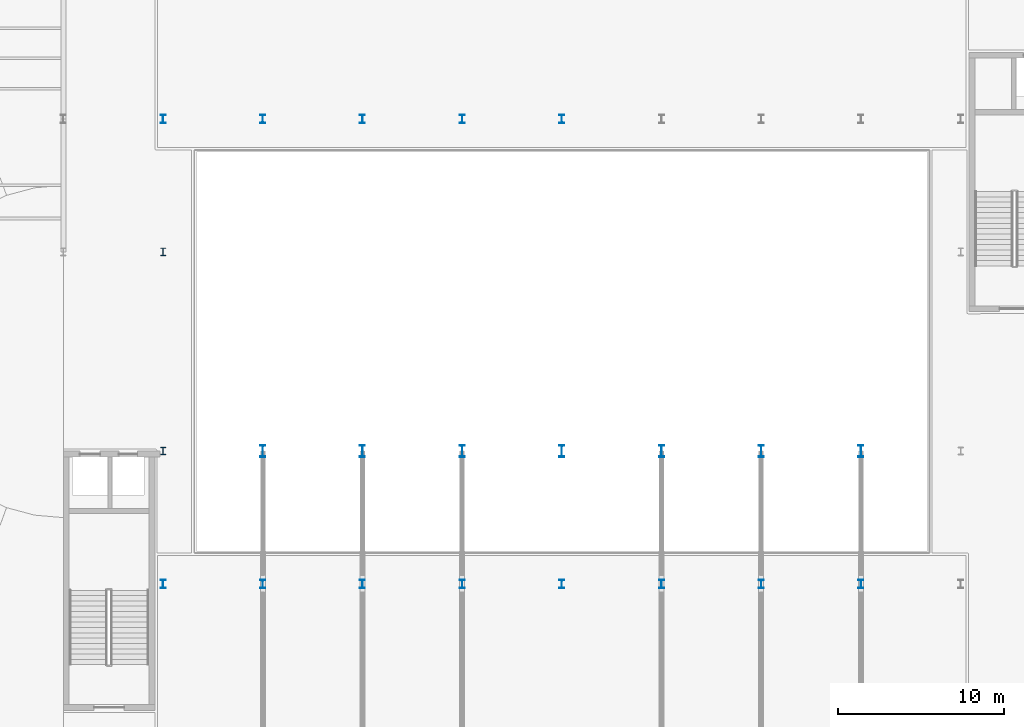
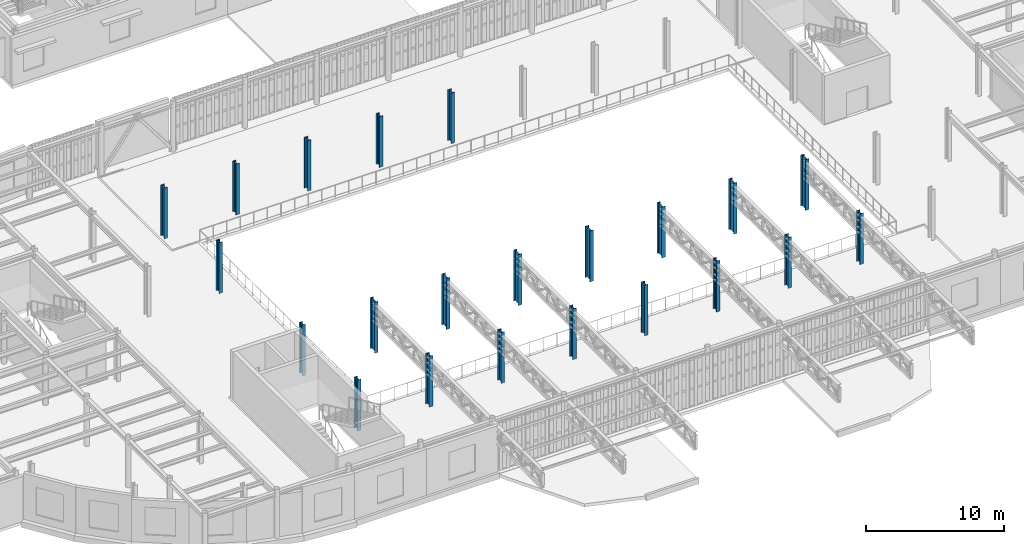
# One storey, part 7 of 91: 22 columns.
"""IFC4 building model written with IfcOpenShell, lengths in metres."""

import ifcopenshell
import ifcopenshell.guid

model = None  # the IFC model being written
_history = None  # IfcOwnerHistory: only IFC2X3 demands one
_inside = {}  # id of a spatial element -> (the spatial element, [elements in it])
_under = {}  # id of a project, library or spatial element -> (it, [spatial elements below it])
_declared = {}  # id of a project -> (the project, [libraries it declares])
_typed = {}  # id of a type object -> (the type object, [elements of that type])
_made_of = {}  # id of a material, layer set ... -> (it, [elements and type objects made of it])


def new_model(schema):
    """Start an empty IFC model of exactly this schema.

    Asked for "IFC4X3", IfcOpenShell would pick the latest addendum, in which some entities
    have other attributes; the version numbers below select the first issue.
    IFC2X3 requires an IfcOwnerHistory on every rooted entity: one is made here for all.
    """
    global model, _history
    if schema == "IFC4X3":
        model = ifcopenshell.file(schema_version=(4, 3, 0, 0))
    else:
        model = ifcopenshell.file(schema=schema)
    _inside.clear()
    _under.clear()
    _declared.clear()
    _typed.clear()
    _made_of.clear()
    _history = None
    if model.schema == "IFC2X3":
        org = make("IfcOrganization", Name="unknown")
        user = make(
            "IfcPersonAndOrganization",
            ThePerson=make("IfcPerson", FamilyName="unknown"),
            TheOrganization=org,
        )
        app = make(
            "IfcApplication",
            ApplicationDeveloper=org,
            Version="unknown",
            ApplicationFullName="unknown",
            ApplicationIdentifier="unknown",
        )
        _history = make(
            "IfcOwnerHistory",
            OwningUser=user,
            OwningApplication=app,
            ChangeAction="ADDED",
            CreationDate=0,
        )
    return model


def make(cls, **values):
    """One entity of the class cls with the attributes given. An attribute that is None is left unset."""
    return model.create_entity(
        cls, **{name: value for name, value in values.items() if value is not None}
    )


def rooted(cls, **values):
    """An entity with a GlobalId (a new one), such as an element, a storey or a relation."""
    return make(cls, GlobalId=ifcopenshell.guid.new(), OwnerHistory=_history, **values)


def si_unit(unit_type, name, prefix=None):
    """IfcSIUnit, for example si_unit("LENGTHUNIT", "METRE", prefix="MILLI")."""
    return make("IfcSIUnit", UnitType=unit_type, Prefix=prefix, Name=name)


def assignment(units):
    """IfcUnitAssignment: the units of a project."""
    return None if units is None else make("IfcUnitAssignment", Units=units)


def point(xyz):
    """IfcCartesianPoint."""
    return None if xyz is None else make("IfcCartesianPoint", Coordinates=xyz)


def direction(xyz):
    """IfcDirection."""
    return None if xyz is None else make("IfcDirection", DirectionRatios=xyz)


def frame(location, z_axis=None, x_axis=None):
    """IfcAxis2Placement3D, a coordinate frame: its origin and axes. An axis left out is left unset."""
    return make(
        "IfcAxis2Placement3D",
        Location=point(location),
        Axis=direction(z_axis),
        RefDirection=direction(x_axis),
    )


def frame_2d(location, x_axis=None):
    """IfcAxis2Placement2D, a coordinate frame in the plane: its origin and x axis."""
    return make(
        "IfcAxis2Placement2D", Location=point(location), RefDirection=direction(x_axis)
    )


def origin():
    """The frame at (0, 0, 0) with its axes left unset."""
    return frame((0.0, 0.0, 0.0))


def origin_2d():
    """The frame at (0, 0) in the plane with its x axis left unset."""
    return frame_2d((0.0, 0.0))


def place(relative_to, where):
    """IfcLocalPlacement: puts the frame where relative to a parent placement (None: the world)."""
    return make(
        "IfcLocalPlacement", PlacementRelTo=relative_to, RelativePlacement=where
    )


def context(
    kind, dimensions, precision=None, world=None, true_north=None, identifier=None
):
    """IfcGeometricRepresentationContext, for example the 3D "Model" context."""
    return make(
        "IfcGeometricRepresentationContext",
        ContextIdentifier=identifier,
        ContextType=kind,
        CoordinateSpaceDimension=dimensions,
        Precision=precision,
        WorldCoordinateSystem=world,
        TrueNorth=true_north,
    )


def subcontext(parent, identifier, kind, view, scale=None):
    """IfcGeometricRepresentationSubContext, for example "Body" below "Model"."""
    return make(
        "IfcGeometricRepresentationSubContext",
        ContextIdentifier=identifier,
        ContextType=kind,
        ParentContext=parent,
        TargetScale=scale,
        TargetView=view,
    )


def project(units=None, contexts=None):
    """IfcProject with its units and contexts."""
    return rooted(
        "IfcProject",
        Name="project",
        RepresentationContexts=contexts,
        UnitsInContext=assignment(units),
    )


def spatial(cls, under=None, at=None, **own):
    """A site, building, storey or space (cls), placed at a placement, below another one or the project."""
    s = rooted(cls, ObjectPlacement=at, **own)
    if under is not None:
        _under.setdefault(under.id(), (under, []))[1].append(s)
    return s


def profile(cls, at=None, kind="AREA", **sizes):
    """A parametric profile (cls). Its sizes go by their IFC names, for example OverallWidth=200.0."""
    return make(cls, ProfileType=kind, Position=at, **sizes)


def i_section(**sizes):
    """IfcIShapeProfileDef."""
    return profile("IfcIShapeProfileDef", **sizes)


def extrude(swept, where, along, depth):
    """IfcExtrudedAreaSolid: the profile swept, set in the frame where, extruded along a direction by depth."""
    return make(
        "IfcExtrudedAreaSolid",
        SweptArea=swept,
        Position=where,
        ExtrudedDirection=direction(along),
        Depth=depth,
    )


def shape(context_of_items, identifier, shape_type, items):
    """IfcShapeRepresentation: the items that make up one representation, for example the "Body"."""
    return make(
        "IfcShapeRepresentation",
        ContextOfItems=context_of_items,
        RepresentationIdentifier=identifier,
        RepresentationType=shape_type,
        Items=items,
    )


def material(Name=None, Category=None):
    """IfcMaterial."""
    return make("IfcMaterial", Name=Name, Category=Category)


def material_profile(
    of_material, cross_section, Name=None, Category=None, Priority=None
):
    """IfcMaterialProfile: a cross section and its material."""
    return make(
        "IfcMaterialProfile",
        Name=Name,
        Material=of_material,
        Profile=cross_section,
        Priority=Priority,
        Category=Category,
    )


def profile_set(profiles, Name=None, composite=None):
    """IfcMaterialProfileSet."""
    return make(
        "IfcMaterialProfileSet",
        Name=Name,
        MaterialProfiles=profiles,
        CompositeProfile=composite,
    )


def made_of(thing, what):
    """Note that an element or type object is made of a material, layer set ...; save() writes the relation."""
    if what is not None:
        _made_of.setdefault(what.id(), (what, []))[1].append(thing)
    return thing


def type_object(cls, material=None, **own):
    """A type object (cls), such as IfcWallType, which elements share."""
    return made_of(rooted(cls, **own), material)


def element(
    cls,
    number,
    at=None,
    inside=None,
    cuts=None,
    type_object=None,
    material=None,
    context=None,
    identifier="Body",
    shape_type=None,
    held_by="IfcProductDefinitionShape",
    body=None,
    shapes=None,
    **own,
):
    """One element of the class cls, such as IfcWall. Its Tag is "e" and its number.

    at: its placement. inside: the storey or other place that contains it. cuts: it is an
    opening in that element (IfcRelVoidsElement). A single representation is given by context,
    identifier, shape_type and body (its items); several are given by shapes. held_by: the class
    of the entity that holds the representations. save() writes the other relations.
    """
    e = rooted(cls, Tag="e%d" % number, ObjectPlacement=at, **own)
    if body is not None:
        shapes = [shape(context, identifier, shape_type, body)]
    if shapes is not None:
        e.Representation = make(held_by, Representations=shapes)
    if inside is not None:
        _inside.setdefault(inside.id(), (inside, []))[1].append(e)
    if cuts is not None:
        rooted(
            "IfcRelVoidsElement", RelatingBuildingElement=cuts, RelatedOpeningElement=e
        )
    if type_object is not None:
        _typed.setdefault(type_object.id(), (type_object, []))[1].append(e)
    return made_of(e, material)


def aggregate(whole, parts):
    """IfcRelAggregates: a whole, such as a stair, and the parts it consists of."""
    return rooted("IfcRelAggregates", RelatingObject=whole, RelatedObjects=parts)


def save(model, path):
    """Write the relations noted so far, then the file.

    IfcRelAggregates (storeys below a building ...), IfcRelContainedInSpatialStructure (elements
    in a storey), IfcRelDefinesByType, IfcRelAssociatesMaterial and IfcRelDeclares: one each for
    every whole, place, type object, material and project.
    """
    for whole, parts in _under.values():
        aggregate(whole, parts)
    for where, things in _inside.values():
        rooted(
            "IfcRelContainedInSpatialStructure",
            RelatedElements=things,
            RelatingStructure=where,
        )
    for kind, things in _typed.values():
        rooted("IfcRelDefinesByType", RelatedObjects=things, RelatingType=kind)
    for what, things in _made_of.values():
        rooted("IfcRelAssociatesMaterial", RelatedObjects=things, RelatingMaterial=what)
    for by, libraries in _declared.values():
        rooted("IfcRelDeclares", RelatingContext=by, RelatedDefinitions=libraries)
    model.write(path)


model = new_model("IFC4")

# Units and contexts
model_context = context("Model", 3, precision=1e-05, world=origin(), true_north=direction((0.0, 1.0)))
body_context = subcontext(model_context, "Body", "Model", "MODEL_VIEW")
ifc_project = project(units=[si_unit("LENGTHUNIT", "METRE"), si_unit("AREAUNIT", "SQUARE_METRE"), si_unit("VOLUMEUNIT", "CUBIC_METRE"), si_unit("PLANEANGLEUNIT", "RADIAN"), si_unit("MASSUNIT", "GRAM", prefix="KILO")], contexts=[model_context])

# Site, building, storey
site_placement = place(None, origin())
site = spatial("IfcSite", under=ifc_project, at=site_placement, CompositionType="ELEMENT")
building_placement = place(site_placement, origin())
building = spatial("IfcBuilding", under=site, at=building_placement, Name="Kolvaren Corner Interchange", CompositionType="ELEMENT")
storey_placement = place(building_placement, frame((0.0, 0.0, 6.0)))
storey = spatial("IfcBuildingStorey", under=building, at=storey_placement, Name="L02", CompositionType="ELEMENT", Elevation=6.0)

# Columns
ifc_material_1 = material(Name="Steel S355", Category="steel")
ifc_material_profile_1 = material_profile(ifc_material_1, i_section(OverallWidth=0.300048828125, OverallDepth=0.449951171875, WebThickness=0.013916015625, FlangeThickness=0.02587890625, FilletRadius=0.027099609375, at=origin_2d()), Name="HEB 450")
ifc_profile_set_1 = profile_set([ifc_material_profile_1], Name="Steel S355")
column_type_1 = type_object("IfcColumnType", Name="COL-HEB450", PredefinedType="COLUMN", material=ifc_profile_set_1)
for number, where, z_axis, x_axis, name in (
    (1, (66.0, 42.0, 0.0), (0.0, 0.0, 1.0), (1.0, 0.0, 0.0), "Storey L02 Structural Column 0492"),
    (2, (66.0, 54.0, 0.0), (0.0, 0.0, 1.0), (1.0, 0.0, 0.0), "Storey L02 Structural Column 0495"),
):
    element("IfcColumn", number, at=place(storey_placement, frame(where, z_axis=z_axis, x_axis=x_axis)), inside=storey, type_object=column_type_1, Name=name, PredefinedType="COLUMN", context=body_context, shape_type="SweptSolid", body=[
        extrude(i_section(OverallWidth=0.300048828125, OverallDepth=0.449951171875, WebThickness=0.013916015625, FlangeThickness=0.02587890625, FilletRadius=0.027099609375, at=origin_2d()), origin(), (0.0, 0.0, 1.0), 4.5),
    ])
ifc_material_2 = material(Name="Steel S355", Category="steel")
ifc_material_profile_2 = material_profile(ifc_material_2, i_section(OverallWidth=0.300048828125, OverallDepth=0.5, WebThickness=0.014404296875, FlangeThickness=0.028076171875, FilletRadius=0.027099609375, at=origin_2d()), Name="HEB 500")
ifc_profile_set_2 = profile_set([ifc_material_profile_2], Name="Steel S355")
column_type_2 = type_object("IfcColumnType", Name="COL-HEB500", PredefinedType="COLUMN", material=ifc_profile_set_2)
for number, where, z_axis, x_axis, name in (
    (3, (66.0, 34.0, 0.0), (0.0, 0.0, 1.0), (1.0, 0.0, 0.0), "Storey L02 Structural Column 0489"),
    (4, (66.0, 62.0, 0.0), (0.0, 0.0, 1.0), (1.0, 0.0, 0.0), "Storey L02 Structural Column 0498"),
    (5, (72.0, 34.0, 0.0), (0.0, 0.0, 1.0), (1.0, 0.0, 0.0), "Storey L02 Structural Column 0509"),
    (6, (72.0, 62.0, 0.0), (0.0, 0.0, 1.0), (1.0, 0.0, 0.0), "Storey L02 Structural Column 0518"),
    (7, (78.0, 34.0, 0.0), (0.0, 0.0, 1.0), (1.0, 0.0, 0.0), "Storey L02 Structural Column 0529"),
    (8, (78.0, 62.0, 0.0), (0.0, 0.0, 1.0), (1.0, 0.0, 0.0), "Storey L02 Structural Column 0538"),
    (9, (84.0, 34.0, 0.0), (0.0, 0.0, 1.0), (1.0, 0.0, 0.0), "Storey L02 Structural Column 0549"),
    (10, (84.0, 62.0, 0.0), (0.0, 0.0, 1.0), (1.0, 0.0, 0.0), "Storey L02 Structural Column 0558"),
    (11, (90.0, 34.0, 0.0), (0.0, 0.0, 1.0), (1.0, 0.0, 0.0), "Storey L02 Structural Column 0569"),
    (12, (90.0, 62.0, 0.0), (0.0, 0.0, 1.0), (1.0, 0.0, 0.0), "Storey L02 Structural Column 0578"),
    (13, (96.0, 34.0, 0.0), (0.0, 0.0, 1.0), (1.0, 0.0, 0.0), "Storey L02 Structural Column 0589"),
    (14, (102.0, 34.0, 0.0), (0.0, 0.0, 1.0), (1.0, 0.0, 0.0), "Storey L02 Structural Column 0609"),
    (15, (108.0, 34.0, 0.0), (0.0, 0.0, 1.0), (1.0, 0.0, 0.0), "Storey L02 Structural Column 0629"),
):
    element("IfcColumn", number, at=place(storey_placement, frame(where, z_axis=z_axis, x_axis=x_axis)), inside=storey, type_object=column_type_2, Name=name, PredefinedType="COLUMN", context=body_context, shape_type="SweptSolid", body=[
        extrude(i_section(OverallWidth=0.300048828125, OverallDepth=0.5, WebThickness=0.014404296875, FlangeThickness=0.028076171875, FilletRadius=0.027099609375, at=origin_2d()), origin(), (0.0, 0.0, 1.0), 4.5),
    ])
ifc_material_3 = material(Name="Steel S355", Category="steel")
ifc_material_profile_3 = material_profile(ifc_material_3, i_section(OverallWidth=0.300048828125, OverallDepth=0.699951171875, WebThickness=0.01708984375, FlangeThickness=0.031982421875, FilletRadius=0.027099609375, at=origin_2d()), Name="HEB 700")
ifc_profile_set_3 = profile_set([ifc_material_profile_3], Name="Steel S355")
column_type_3 = type_object("IfcColumnType", Name="COL-HEB700", PredefinedType="COLUMN", material=ifc_profile_set_3)
for number, where, z_axis, x_axis, name in (
    (16, (72.0, 42.0, 0.0), (0.0, 0.0, 1.0), (1.0, 0.0, 0.0), "Storey L02 Structural Column 0513"),
    (17, (78.0, 42.0, 0.0), (0.0, 0.0, 1.0), (1.0, 0.0, 0.0), "Storey L02 Structural Column 0533"),
    (18, (84.0, 42.0, 0.0), (0.0, 0.0, 1.0), (1.0, 0.0, 0.0), "Storey L02 Structural Column 0553"),
    (19, (90.0, 42.0, 0.0), (0.0, 0.0, 1.0), (1.0, 0.0, 0.0), "Storey L02 Structural Column 0573"),
    (20, (96.0, 42.0, 0.0), (0.0, 0.0, 1.0), (1.0, 0.0, 0.0), "Storey L02 Structural Column 0593"),
    (21, (102.0, 42.0, 0.0), (0.0, 0.0, 1.0), (1.0, 0.0, 0.0), "Storey L02 Structural Column 0613"),
    (22, (108.0, 42.0, 0.0), (0.0, 0.0, 1.0), (1.0, 0.0, 0.0), "Storey L02 Structural Column 0633"),
):
    element("IfcColumn", number, at=place(storey_placement, frame(where, z_axis=z_axis, x_axis=x_axis)), inside=storey, type_object=column_type_3, Name=name, PredefinedType="COLUMN", context=body_context, shape_type="SweptSolid", body=[
        extrude(i_section(OverallWidth=0.300048828125, OverallDepth=0.699951171875, WebThickness=0.01708984375, FlangeThickness=0.031982421875, FilletRadius=0.027099609375, at=origin_2d()), origin(), (0.0, 0.0, 1.0), 4.5),
    ])

save(model, "model.ifc")
